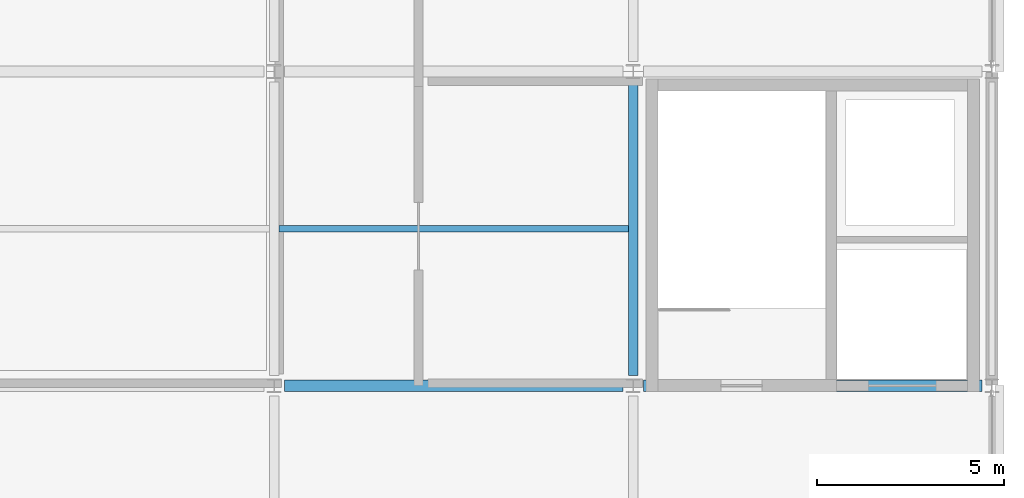
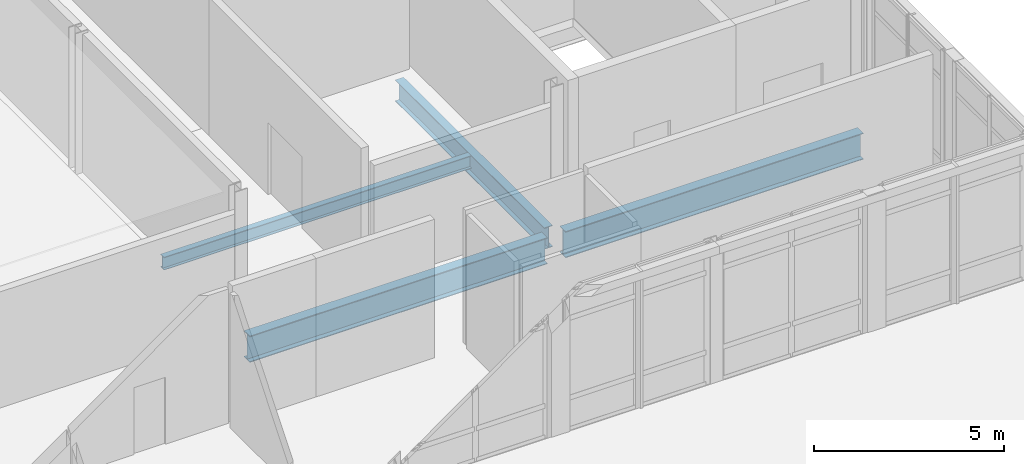
# One storey, part 23 of 52: 4 beams.
"""IFC4 building model written with IfcOpenShell, lengths in metres."""

from ifc_helpers import new_model, si_unit, direction, frame, origin, origin_2d, place, context, subcontext, project, spatial, i_section, extrude, material, material_profile, profile_set, type_object, element, save


model = new_model("IFC4")

# Units and contexts
model_context = context("Model", 3, precision=1e-05, world=origin(), true_north=direction((0.0, 1.0)))
body_context = subcontext(model_context, "Body", "Model", "MODEL_VIEW")
ifc_project = project(units=[si_unit("LENGTHUNIT", "METRE"), si_unit("AREAUNIT", "SQUARE_METRE"), si_unit("VOLUMEUNIT", "CUBIC_METRE"), si_unit("PLANEANGLEUNIT", "RADIAN"), si_unit("MASSUNIT", "GRAM", prefix="KILO")], contexts=[model_context])

# Site, building, storey
site_placement = place(None, origin())
site = spatial("IfcSite", under=ifc_project, at=site_placement, CompositionType="ELEMENT")
building_placement = place(site_placement, origin())
building = spatial("IfcBuilding", under=site, at=building_placement, Name="Lornevale Opera House", CompositionType="ELEMENT")
storey_placement = place(building_placement, frame((0.0, 0.0, 15.0)))
storey = spatial("IfcBuildingStorey", under=building, at=storey_placement, Name="L04", CompositionType="ELEMENT", Elevation=15.0)

# Beams
ifc_material = material(Name="Structural Steel CSA G40.21 Grade 350W (350 MPa)", Category="steel")
ifc_material_profile_1 = material_profile(ifc_material, i_section(OverallWidth=0.299072265625, OverallDepth=0.845947265625, WebThickness=0.015380859375, FlangeThickness=0.0244140625, at=origin_2d()), Name="W840x210")
ifc_profile_set_1 = profile_set([ifc_material_profile_1], Name="Structural Steel CSA G40.21 Grade 350W (350 MPa)")
beam_type_1 = type_object("IfcBeamType", Name="Steel Clear-Span Girder W840x210", PredefinedType="USERDEFINED", material=ifc_profile_set_1)
for number, where, z_axis, x_axis, name in (
    (1, (125.074951171875, 33.60009765625, -0.697998046875), (1.0, 0.0, 0.0), (0.0, 1.0, 0.0), "Steel Clear-Span Girder W840x210 2488"),
    (2, (134.675048828125, 33.60009765625, -0.697998046875), (1.0, 0.0, 0.0), (0.0, 1.0, 0.0), "Steel Clear-Span Girder W840x210 2489"),
):
    element("IfcBeam", number, at=place(storey_placement, frame(where, z_axis=z_axis, x_axis=x_axis)), inside=storey, type_object=beam_type_1, Name=name, ObjectType="GIRDER", PredefinedType="USERDEFINED", context=body_context, shape_type="SweptSolid", body=[
        extrude(i_section(OverallWidth=0.299072265625, OverallDepth=0.845947265625, WebThickness=0.015380859375, FlangeThickness=0.0244140625, at=origin_2d()), origin(), (0.0, 0.0, 1.0), 9.050048828125),
    ])
ifc_material_profile_2 = material_profile(ifc_material, i_section(OverallWidth=0.179931640625, OverallDepth=0.4130859375, WebThickness=0.009765625, FlangeThickness=0.01611328125, at=origin_2d()), Name="W410x74")
ifc_profile_set_2 = profile_set([ifc_material_profile_2], Name="Structural Steel CSA G40.21 Grade 350W (350 MPa)")
beam_type_2 = type_object("IfcBeamType", Name="Steel Floor Joist W410x74", PredefinedType="JOIST", material=ifc_profile_set_2)
beam_1_placement = place(storey_placement, frame((124.927001953125, 37.800048828125, -0.4814453125), z_axis=(1.0, 0.0, 0.0), x_axis=(0.0, 1.0, 0.0)))
element("IfcBeam", 3, at=beam_1_placement, inside=storey, type_object=beam_type_2, Name="Steel Floor Joist W410x74 2702", PredefinedType="JOIST", context=body_context, shape_type="SweptSolid", body=[
    extrude(i_section(OverallWidth=0.179931640625, OverallDepth=0.4130859375, WebThickness=0.009765625, FlangeThickness=0.01611328125, at=origin_2d()), origin(), (0.0, 0.0, 1.0), 9.345947265625),
])
ifc_material_profile_3 = material_profile(ifc_material, i_section(OverallWidth=0.25390625, OverallDepth=0.68798828125, WebThickness=0.01318359375, FlangeThickness=0.02099609375, at=origin_2d()), Name="W690x152")
ifc_profile_set_3 = profile_set([ifc_material_profile_3], Name="Structural Steel CSA G40.21 Grade 350W (350 MPa)")
beam_type_3 = type_object("IfcBeamType", Name="Steel Foyer Beam W690x152", PredefinedType="USERDEFINED", material=ifc_profile_set_3)
beam_2_placement = place(storey_placement, frame((134.39990234375, 33.875, -0.618896484375), z_axis=(0.0, 1.0, 0.0), x_axis=(-1.0, 0.0, 0.0)))
element("IfcBeam", 4, at=beam_2_placement, inside=storey, type_object=beam_type_3, Name="Steel Foyer Beam W690x152 2641", ObjectType="GIRDER", PredefinedType="USERDEFINED", context=body_context, shape_type="SweptSolid", body=[
    extrude(i_section(OverallWidth=0.25390625, OverallDepth=0.68798828125, WebThickness=0.01318359375, FlangeThickness=0.02099609375, at=origin_2d()), origin(), (0.0, 0.0, 1.0), 7.85009765625),
])

save(model, "model.ifc")
